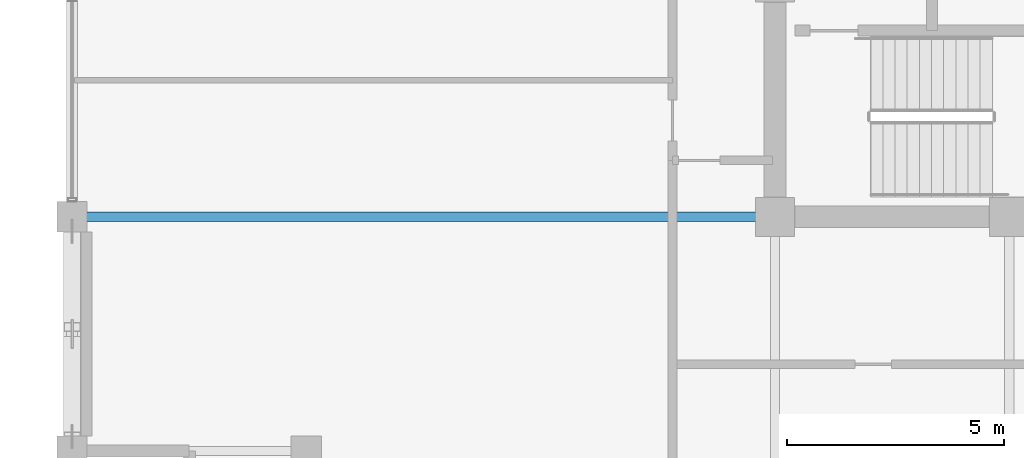
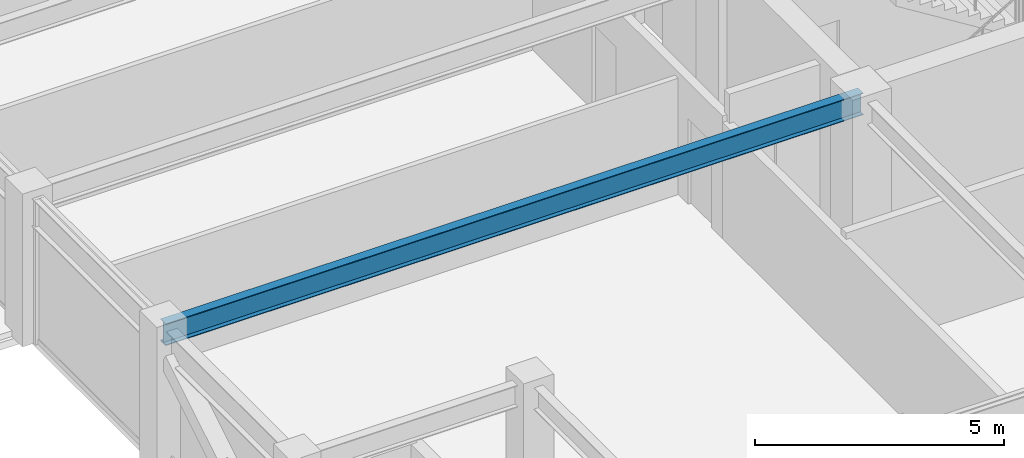
# One storey, part 5 of 30: 1 beam.
"""IFC4 building model written with IfcOpenShell, lengths in metres."""

from ifc_helpers import new_model, si_unit, direction, frame, origin, origin_2d, place, context, subcontext, project, spatial, i_section, extrude, material, material_profile, profile_set, type_object, element, save


model = new_model("IFC4")

# Units and contexts
model_context = context("Model", 3, precision=1e-05, world=origin(), true_north=direction((0.0, 1.0)))
body_context = subcontext(model_context, "Body", "Model", "MODEL_VIEW")
ifc_project = project(units=[si_unit("LENGTHUNIT", "METRE"), si_unit("AREAUNIT", "SQUARE_METRE"), si_unit("VOLUMEUNIT", "CUBIC_METRE"), si_unit("PLANEANGLEUNIT", "RADIAN"), si_unit("MASSUNIT", "GRAM", prefix="KILO")], contexts=[model_context])

# Site, building, storey
site_placement = place(None, origin())
site = spatial("IfcSite", under=ifc_project, at=site_placement, CompositionType="ELEMENT")
building_placement = place(site_placement, origin())
building = spatial("IfcBuilding", under=site, at=building_placement, Name="Surkhivell Harbour Commons", CompositionType="ELEMENT")
storey_placement = place(building_placement, frame((0.0, 0.0, 281.25)))
storey = spatial("IfcBuildingStorey", under=building, at=storey_placement, Name="L73", CompositionType="ELEMENT", Elevation=281.25)

# Beam
ifc_material = material(Name="Steel S355", Category="steel")
ifc_material_profile = material_profile(ifc_material, i_section(OverallWidth=0.2099609375, OverallDepth=0.537109375, WebThickness=0.0107421875, FlangeThickness=0.017333984375, at=origin_2d()), Name="UB533x210x101")
ifc_profile_set = profile_set([ifc_material_profile], Name="Steel S355")
beam_type = type_object("IfcBeamType", Name="BM-GRD-533B", PredefinedType="BEAM", material=ifc_profile_set)
beam_placement = place(storey_placement, frame((-27.0, -10.800048828125, 3.301513671875), z_axis=(1.0, 0.0, 0.0), x_axis=(0.0, 1.0, 0.0)))
element("IfcBeam", 1, at=beam_placement, inside=storey, type_object=beam_type, Name="L73 Floor Girder (-27.0,-10.8)", PredefinedType="BEAM", context=body_context, shape_type="SweptSolid", body=[
    extrude(i_section(OverallWidth=0.2099609375, OverallDepth=0.537109375, WebThickness=0.0107421875, FlangeThickness=0.017333984375, at=origin_2d()), origin(), (0.0, 0.0, 1.0), 16.199951171875),
])

save(model, "model.ifc")
